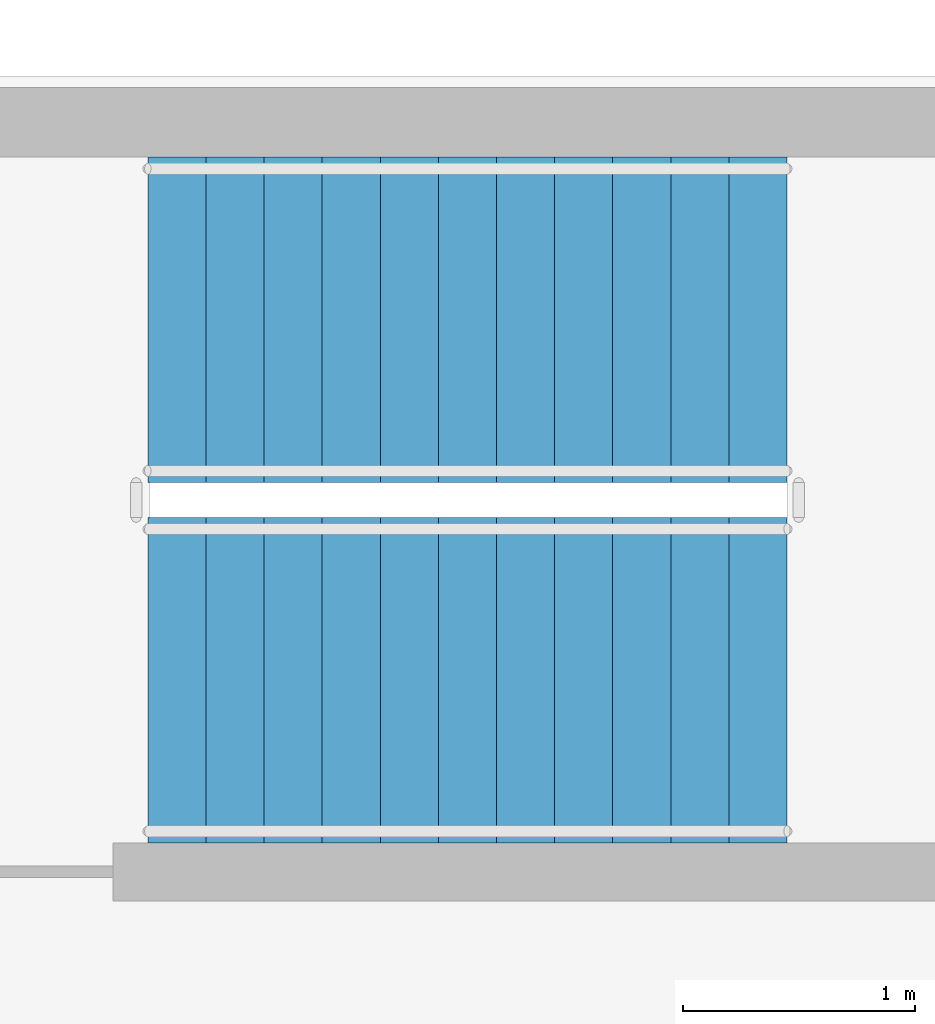
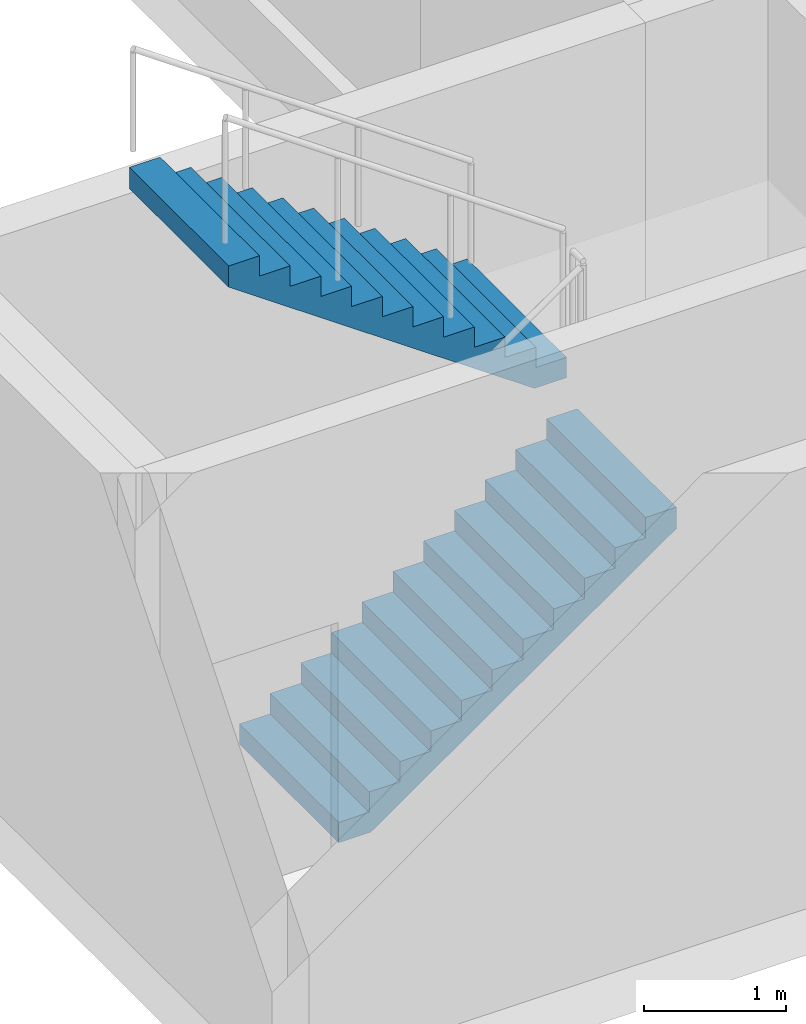
# One storey, part 9 of 14: 2 stair flights, 1 element without a shape of its own.
"""IFC4 building model written with IfcOpenShell, lengths in metres."""

from ifc_helpers import new_model, si_unit, direction, frame, origin, place, context, subcontext, project, spatial, polyline, outline, extrude, source, transform, mapped, material, type_object, element, aggregate, save


model = new_model("IFC4")

# Units and contexts
model_context = context("Model", 3, precision=1e-05, world=origin(), true_north=direction((0.0, 1.0)))
body_context = subcontext(model_context, "Body", "Model", "MODEL_VIEW")
ifc_project = project(units=[si_unit("LENGTHUNIT", "METRE"), si_unit("AREAUNIT", "SQUARE_METRE"), si_unit("VOLUMEUNIT", "CUBIC_METRE"), si_unit("PLANEANGLEUNIT", "RADIAN"), si_unit("MASSUNIT", "GRAM", prefix="KILO")], contexts=[model_context])

# Site, building, storey
site_placement = place(None, origin())
site = spatial("IfcSite", under=ifc_project, at=site_placement, CompositionType="ELEMENT")
building_placement = place(site_placement, origin())
building = spatial("IfcBuilding", under=site, at=building_placement, Name="Aurelian Terraces", CompositionType="ELEMENT")
storey_placement = place(building_placement, frame((0.0, 0.0, 153.9)))
storey = spatial("IfcBuildingStorey", under=building, at=storey_placement, Name="L34", CompositionType="ELEMENT", Elevation=153.9)

# Stair, stair flights
ifc_material = material(Name="Concrete fc' 40 MPa", Category="concrete")
stair_type = type_object("IfcStairType", Name="Stair 1400", PredefinedType="HALF_TURN_STAIR", material=ifc_material)
stair_placement = place(storey_placement, origin())
stair = element("IfcStair", 1, at=stair_placement, inside=storey, type_object=stair_type, Name="L34 S3", PredefinedType="HALF_TURN_STAIR")
stair_flight_type = type_object("IfcStairFlightType", Name="Stair flight 1400", PredefinedType="STRAIGHT", material=ifc_material)
shared_shape = source(origin(), body_context, "Body", "SweptSolid", [
    extrude(outline(polyline([(0.0, 0.0), (0.0, 0.175), (0.25, 0.175), (0.25, 0.35), (0.5, 0.35), (0.5, 0.525), (0.75, 0.525), (0.75, 0.7), (1.0, 0.7), (1.0, 0.875), (1.25, 0.875), (1.25, 1.05), (1.5, 1.05), (1.5, 1.225), (1.75, 1.225), (1.75, 1.4), (2.0, 1.4), (2.0, 1.575), (2.25, 1.575), (2.25, 1.75), (2.5, 1.75), (2.5, 1.925), (2.75, 1.925), (2.75, 2.1), (2.75, 1.7419), (0.2616, 0.0), (0.0, 0.0)])), frame((0.0, 0.7, 0.0), z_axis=(0.0, -1.0, 0.0), x_axis=(1.0, 0.0, 0.0)), (0.0, 0.0, 1.0), 1.4),
])
stair_flight_1_placement = place(storey_placement, frame((2.1, 41.35, 2e-08), z_axis=(0.0, 0.0, 1.0), x_axis=(1.0, 0.0, 0.0)))
stair_flight_1 = element("IfcStairFlight", 2, at=stair_flight_1_placement, type_object=stair_flight_type, Name="S3 flight 1", NumberOfRisers=12, NumberOfTreads=11, PredefinedType="STRAIGHT", RiserHeight=0.175, TreadLength=0.25, context=body_context, shape_type="MappedRepresentation", body=[
    mapped(shared_shape, transform((0.0, 0.0, 0.0), scale=1.0)),
])
stair_flight_2_placement = place(storey_placement, frame((4.85, 42.9, 2.100000019999994), z_axis=(0.0, 0.0, 1.0), x_axis=(-1.0, 0.0, 0.0)))
stair_flight_2 = element("IfcStairFlight", 3, at=stair_flight_2_placement, type_object=stair_flight_type, Name="S3 flight 2", NumberOfRisers=12, NumberOfTreads=11, PredefinedType="STRAIGHT", RiserHeight=0.175, TreadLength=0.25, context=body_context, shape_type="MappedRepresentation", body=[
    mapped(shared_shape, transform((0.0, 0.0, 0.0), scale=1.0)),
])
aggregate(stair, [stair_flight_1, stair_flight_2])

save(model, "model.ifc")
